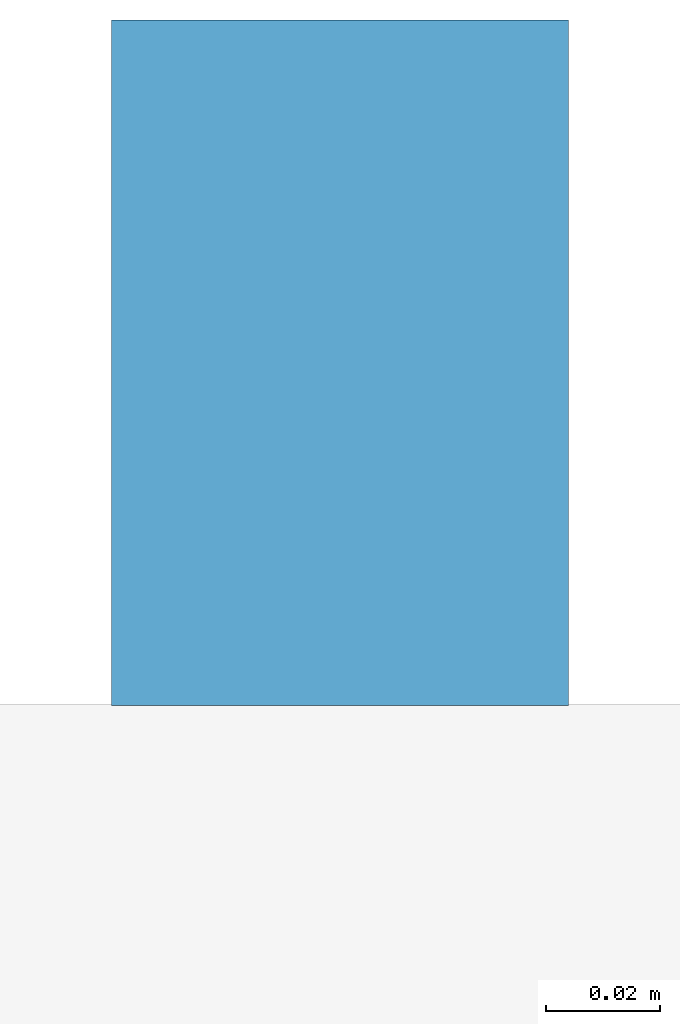
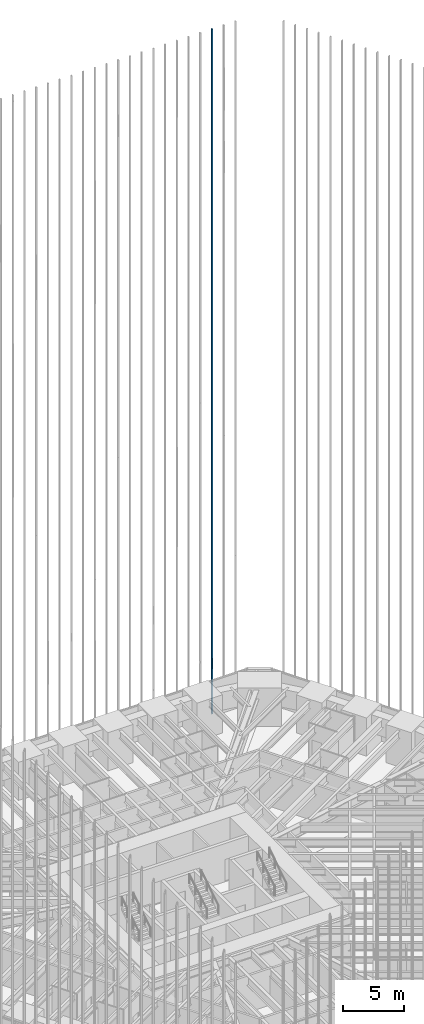
# One storey, part 236 of 256: 1 member, 1 element without a shape of its own.
"""IFC4 building model written with IfcOpenShell, lengths in metres."""

import ifcopenshell
import ifcopenshell.guid

model = None  # the IFC model being written
_history = None  # IfcOwnerHistory: only IFC2X3 demands one
_inside = {}  # id of a spatial element -> (the spatial element, [elements in it])
_under = {}  # id of a project, library or spatial element -> (it, [spatial elements below it])
_declared = {}  # id of a project -> (the project, [libraries it declares])
_typed = {}  # id of a type object -> (the type object, [elements of that type])
_made_of = {}  # id of a material, layer set ... -> (it, [elements and type objects made of it])


def new_model(schema):
    """Start an empty IFC model of exactly this schema.

    Asked for "IFC4X3", IfcOpenShell would pick the latest addendum, in which some entities
    have other attributes; the version numbers below select the first issue.
    IFC2X3 requires an IfcOwnerHistory on every rooted entity: one is made here for all.
    """
    global model, _history
    if schema == "IFC4X3":
        model = ifcopenshell.file(schema_version=(4, 3, 0, 0))
    else:
        model = ifcopenshell.file(schema=schema)
    _inside.clear()
    _under.clear()
    _declared.clear()
    _typed.clear()
    _made_of.clear()
    _history = None
    if model.schema == "IFC2X3":
        org = make("IfcOrganization", Name="unknown")
        user = make(
            "IfcPersonAndOrganization",
            ThePerson=make("IfcPerson", FamilyName="unknown"),
            TheOrganization=org,
        )
        app = make(
            "IfcApplication",
            ApplicationDeveloper=org,
            Version="unknown",
            ApplicationFullName="unknown",
            ApplicationIdentifier="unknown",
        )
        _history = make(
            "IfcOwnerHistory",
            OwningUser=user,
            OwningApplication=app,
            ChangeAction="ADDED",
            CreationDate=0,
        )
    return model


def make(cls, **values):
    """One entity of the class cls with the attributes given. An attribute that is None is left unset."""
    return model.create_entity(
        cls, **{name: value for name, value in values.items() if value is not None}
    )


def rooted(cls, **values):
    """An entity with a GlobalId (a new one), such as an element, a storey or a relation."""
    return make(cls, GlobalId=ifcopenshell.guid.new(), OwnerHistory=_history, **values)


def si_unit(unit_type, name, prefix=None):
    """IfcSIUnit, for example si_unit("LENGTHUNIT", "METRE", prefix="MILLI")."""
    return make("IfcSIUnit", UnitType=unit_type, Prefix=prefix, Name=name)


def assignment(units):
    """IfcUnitAssignment: the units of a project."""
    return None if units is None else make("IfcUnitAssignment", Units=units)


def point(xyz):
    """IfcCartesianPoint."""
    return None if xyz is None else make("IfcCartesianPoint", Coordinates=xyz)


def direction(xyz):
    """IfcDirection."""
    return None if xyz is None else make("IfcDirection", DirectionRatios=xyz)


def frame(location, z_axis=None, x_axis=None):
    """IfcAxis2Placement3D, a coordinate frame: its origin and axes. An axis left out is left unset."""
    return make(
        "IfcAxis2Placement3D",
        Location=point(location),
        Axis=direction(z_axis),
        RefDirection=direction(x_axis),
    )


def frame_2d(location, x_axis=None):
    """IfcAxis2Placement2D, a coordinate frame in the plane: its origin and x axis."""
    return make(
        "IfcAxis2Placement2D", Location=point(location), RefDirection=direction(x_axis)
    )


def origin():
    """The frame at (0, 0, 0) with its axes left unset."""
    return frame((0.0, 0.0, 0.0))


def origin_2d():
    """The frame at (0, 0) in the plane with its x axis left unset."""
    return frame_2d((0.0, 0.0))


def place(relative_to, where):
    """IfcLocalPlacement: puts the frame where relative to a parent placement (None: the world)."""
    return make(
        "IfcLocalPlacement", PlacementRelTo=relative_to, RelativePlacement=where
    )


def context(
    kind, dimensions, precision=None, world=None, true_north=None, identifier=None
):
    """IfcGeometricRepresentationContext, for example the 3D "Model" context."""
    return make(
        "IfcGeometricRepresentationContext",
        ContextIdentifier=identifier,
        ContextType=kind,
        CoordinateSpaceDimension=dimensions,
        Precision=precision,
        WorldCoordinateSystem=world,
        TrueNorth=true_north,
    )


def subcontext(parent, identifier, kind, view, scale=None):
    """IfcGeometricRepresentationSubContext, for example "Body" below "Model"."""
    return make(
        "IfcGeometricRepresentationSubContext",
        ContextIdentifier=identifier,
        ContextType=kind,
        ParentContext=parent,
        TargetScale=scale,
        TargetView=view,
    )


def project(units=None, contexts=None):
    """IfcProject with its units and contexts."""
    return rooted(
        "IfcProject",
        Name="project",
        RepresentationContexts=contexts,
        UnitsInContext=assignment(units),
    )


def spatial(cls, under=None, at=None, **own):
    """A site, building, storey or space (cls), placed at a placement, below another one or the project."""
    s = rooted(cls, ObjectPlacement=at, **own)
    if under is not None:
        _under.setdefault(under.id(), (under, []))[1].append(s)
    return s


def profile(cls, at=None, kind="AREA", **sizes):
    """A parametric profile (cls). Its sizes go by their IFC names, for example OverallWidth=200.0."""
    return make(cls, ProfileType=kind, Position=at, **sizes)


def rectangle(**sizes):
    """IfcRectangleProfileDef."""
    return profile("IfcRectangleProfileDef", **sizes)


def extrude(swept, where, along, depth):
    """IfcExtrudedAreaSolid: the profile swept, set in the frame where, extruded along a direction by depth."""
    return make(
        "IfcExtrudedAreaSolid",
        SweptArea=swept,
        Position=where,
        ExtrudedDirection=direction(along),
        Depth=depth,
    )


def shape(context_of_items, identifier, shape_type, items):
    """IfcShapeRepresentation: the items that make up one representation, for example the "Body"."""
    return make(
        "IfcShapeRepresentation",
        ContextOfItems=context_of_items,
        RepresentationIdentifier=identifier,
        RepresentationType=shape_type,
        Items=items,
    )


def material(Name=None, Category=None):
    """IfcMaterial."""
    return make("IfcMaterial", Name=Name, Category=Category)


def material_profile(
    of_material, cross_section, Name=None, Category=None, Priority=None
):
    """IfcMaterialProfile: a cross section and its material."""
    return make(
        "IfcMaterialProfile",
        Name=Name,
        Material=of_material,
        Profile=cross_section,
        Priority=Priority,
        Category=Category,
    )


def profile_set(profiles, Name=None, composite=None):
    """IfcMaterialProfileSet."""
    return make(
        "IfcMaterialProfileSet",
        Name=Name,
        MaterialProfiles=profiles,
        CompositeProfile=composite,
    )


def made_of(thing, what):
    """Note that an element or type object is made of a material, layer set ...; save() writes the relation."""
    if what is not None:
        _made_of.setdefault(what.id(), (what, []))[1].append(thing)
    return thing


def type_object(cls, material=None, **own):
    """A type object (cls), such as IfcWallType, which elements share."""
    return made_of(rooted(cls, **own), material)


def element(
    cls,
    number,
    at=None,
    inside=None,
    cuts=None,
    type_object=None,
    material=None,
    context=None,
    identifier="Body",
    shape_type=None,
    held_by="IfcProductDefinitionShape",
    body=None,
    shapes=None,
    **own,
):
    """One element of the class cls, such as IfcWall. Its Tag is "e" and its number.

    at: its placement. inside: the storey or other place that contains it. cuts: it is an
    opening in that element (IfcRelVoidsElement). A single representation is given by context,
    identifier, shape_type and body (its items); several are given by shapes. held_by: the class
    of the entity that holds the representations. save() writes the other relations.
    """
    e = rooted(cls, Tag="e%d" % number, ObjectPlacement=at, **own)
    if body is not None:
        shapes = [shape(context, identifier, shape_type, body)]
    if shapes is not None:
        e.Representation = make(held_by, Representations=shapes)
    if inside is not None:
        _inside.setdefault(inside.id(), (inside, []))[1].append(e)
    if cuts is not None:
        rooted(
            "IfcRelVoidsElement", RelatingBuildingElement=cuts, RelatedOpeningElement=e
        )
    if type_object is not None:
        _typed.setdefault(type_object.id(), (type_object, []))[1].append(e)
    return made_of(e, material)


def aggregate(whole, parts):
    """IfcRelAggregates: a whole, such as a stair, and the parts it consists of."""
    return rooted("IfcRelAggregates", RelatingObject=whole, RelatedObjects=parts)


def save(model, path):
    """Write the relations noted so far, then the file.

    IfcRelAggregates (storeys below a building ...), IfcRelContainedInSpatialStructure (elements
    in a storey), IfcRelDefinesByType, IfcRelAssociatesMaterial and IfcRelDeclares: one each for
    every whole, place, type object, material and project.
    """
    for whole, parts in _under.values():
        aggregate(whole, parts)
    for where, things in _inside.values():
        rooted(
            "IfcRelContainedInSpatialStructure",
            RelatedElements=things,
            RelatingStructure=where,
        )
    for kind, things in _typed.values():
        rooted("IfcRelDefinesByType", RelatedObjects=things, RelatingType=kind)
    for what, things in _made_of.values():
        rooted("IfcRelAssociatesMaterial", RelatedObjects=things, RelatingMaterial=what)
    for by, libraries in _declared.values():
        rooted("IfcRelDeclares", RelatingContext=by, RelatedDefinitions=libraries)
    model.write(path)


model = new_model("IFC4")

# Units and contexts
model_context = context("Model", 3, precision=1e-05, world=origin(), true_north=direction((0.0, 1.0)))
body_context = subcontext(model_context, "Body", "Model", "MODEL_VIEW")
ifc_project = project(units=[si_unit("LENGTHUNIT", "METRE"), si_unit("AREAUNIT", "SQUARE_METRE"), si_unit("VOLUMEUNIT", "CUBIC_METRE"), si_unit("PLANEANGLEUNIT", "RADIAN"), si_unit("MASSUNIT", "GRAM", prefix="KILO")], contexts=[model_context])

# Site, building, storey
site_placement = place(None, origin())
site = spatial("IfcSite", under=ifc_project, at=site_placement, CompositionType="ELEMENT")
building_placement = place(site_placement, origin())
building = spatial("IfcBuilding", under=site, at=building_placement, Name="Sandreach Pilgrim Tower", CompositionType="ELEMENT")
storey_placement = place(building_placement, frame((0.0, 0.0, 23.0)))
storey = spatial("IfcBuildingStorey", under=building, at=storey_placement, Name="L04", CompositionType="ELEMENT", Elevation=23.0)

# Curtain wall, member
ifc_material_1 = material(Name="Aluminium framed curtain wall", Category="aluminium")
curtain_wall_type = type_object("IfcCurtainWallType", Name="Hostel tower curtain wall", PredefinedType="NOTDEFINED", material=ifc_material_1)
curtain_wall_placement = place(storey_placement, origin())
curtain_wall = element("IfcCurtainWall", 1, at=curtain_wall_placement, inside=storey, type_object=curtain_wall_type, Name="CW-1 L04 N", PredefinedType="NOTDEFINED")
ifc_material_2 = material(Name="Extruded terracotta on aluminium core", Category="masonry")
ifc_material_profile = material_profile(ifc_material_2, rectangle(XDim=0.080078125, YDim=0.1201171875, at=origin_2d()), Name="TBN 80X120")
ifc_profile_set = profile_set([ifc_material_profile], Name="Extruded terracotta on aluminium core")
member_type = type_object("IfcMemberType", Name="Terracotta baguette north", PredefinedType="USERDEFINED", material=ifc_profile_set)
member_placement = place(storey_placement, frame((16.566650390625, 24.30859375, 0.0), z_axis=(0.0, 0.0, 1.0), x_axis=(1.0, 0.0, 0.0)))
member = element("IfcMember", 2, at=member_placement, type_object=member_type, Name="Baguette Z1 N33", ObjectType="BAGUETTE", PredefinedType="USERDEFINED", context=body_context, shape_type="SweptSolid", body=[
    extrude(rectangle(XDim=0.080078125, YDim=0.1201171875, at=origin_2d()), origin(), (0.0, 0.0, 1.0), 68.239990234375),
])
aggregate(curtain_wall, [member])

save(model, "model.ifc")
